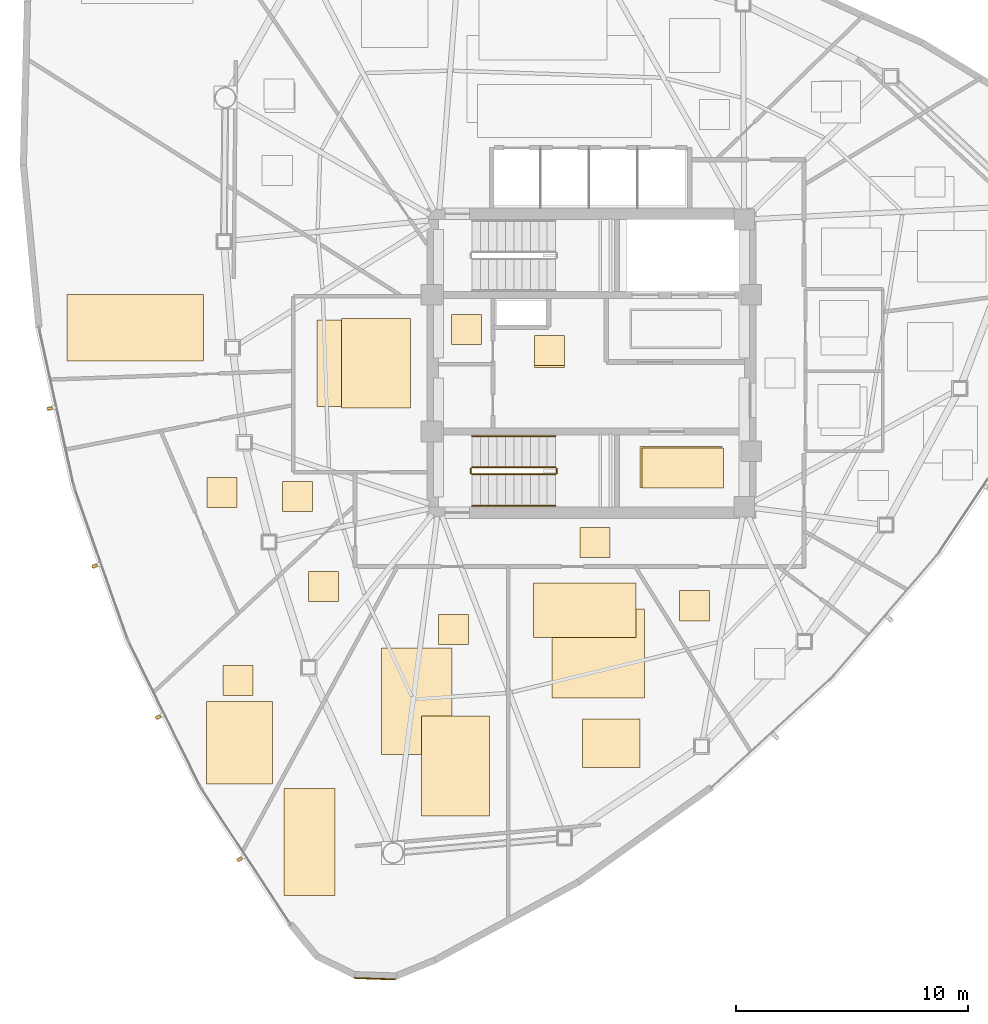
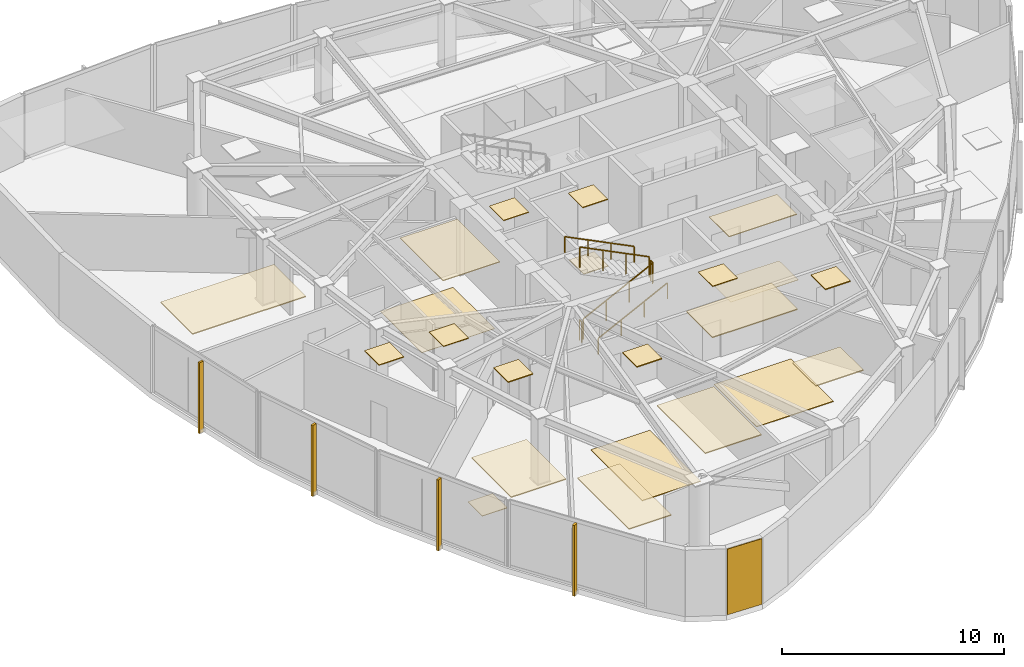
# One storey, part 12 of 14: 23 coverings, 6 railings, 4 shading devices.
"""IFC4 building model written with IfcOpenShell, lengths in metres."""

import ifcopenshell
import ifcopenshell.guid

model = None  # the IFC model being written
_history = None  # IfcOwnerHistory: only IFC2X3 demands one
_inside = {}  # id of a spatial element -> (the spatial element, [elements in it])
_under = {}  # id of a project, library or spatial element -> (it, [spatial elements below it])
_declared = {}  # id of a project -> (the project, [libraries it declares])
_typed = {}  # id of a type object -> (the type object, [elements of that type])
_made_of = {}  # id of a material, layer set ... -> (it, [elements and type objects made of it])


def new_model(schema):
    """Start an empty IFC model of exactly this schema.

    Asked for "IFC4X3", IfcOpenShell would pick the latest addendum, in which some entities
    have other attributes; the version numbers below select the first issue.
    IFC2X3 requires an IfcOwnerHistory on every rooted entity: one is made here for all.
    """
    global model, _history
    if schema == "IFC4X3":
        model = ifcopenshell.file(schema_version=(4, 3, 0, 0))
    else:
        model = ifcopenshell.file(schema=schema)
    _inside.clear()
    _under.clear()
    _declared.clear()
    _typed.clear()
    _made_of.clear()
    _history = None
    if model.schema == "IFC2X3":
        org = make("IfcOrganization", Name="unknown")
        user = make(
            "IfcPersonAndOrganization",
            ThePerson=make("IfcPerson", FamilyName="unknown"),
            TheOrganization=org,
        )
        app = make(
            "IfcApplication",
            ApplicationDeveloper=org,
            Version="unknown",
            ApplicationFullName="unknown",
            ApplicationIdentifier="unknown",
        )
        _history = make(
            "IfcOwnerHistory",
            OwningUser=user,
            OwningApplication=app,
            ChangeAction="ADDED",
            CreationDate=0,
        )
    return model


def make(cls, **values):
    """One entity of the class cls with the attributes given. An attribute that is None is left unset."""
    return model.create_entity(
        cls, **{name: value for name, value in values.items() if value is not None}
    )


def rooted(cls, **values):
    """An entity with a GlobalId (a new one), such as an element, a storey or a relation."""
    return make(cls, GlobalId=ifcopenshell.guid.new(), OwnerHistory=_history, **values)


def si_unit(unit_type, name, prefix=None):
    """IfcSIUnit, for example si_unit("LENGTHUNIT", "METRE", prefix="MILLI")."""
    return make("IfcSIUnit", UnitType=unit_type, Prefix=prefix, Name=name)


def assignment(units):
    """IfcUnitAssignment: the units of a project."""
    return None if units is None else make("IfcUnitAssignment", Units=units)


def point(xyz):
    """IfcCartesianPoint."""
    return None if xyz is None else make("IfcCartesianPoint", Coordinates=xyz)


def direction(xyz):
    """IfcDirection."""
    return None if xyz is None else make("IfcDirection", DirectionRatios=xyz)


def frame(location, z_axis=None, x_axis=None):
    """IfcAxis2Placement3D, a coordinate frame: its origin and axes. An axis left out is left unset."""
    return make(
        "IfcAxis2Placement3D",
        Location=point(location),
        Axis=direction(z_axis),
        RefDirection=direction(x_axis),
    )


def frame_2d(location, x_axis=None):
    """IfcAxis2Placement2D, a coordinate frame in the plane: its origin and x axis."""
    return make(
        "IfcAxis2Placement2D", Location=point(location), RefDirection=direction(x_axis)
    )


def origin():
    """The frame at (0, 0, 0) with its axes left unset."""
    return frame((0.0, 0.0, 0.0))


def origin_2d():
    """The frame at (0, 0) in the plane with its x axis left unset."""
    return frame_2d((0.0, 0.0))


def place(relative_to, where):
    """IfcLocalPlacement: puts the frame where relative to a parent placement (None: the world)."""
    return make(
        "IfcLocalPlacement", PlacementRelTo=relative_to, RelativePlacement=where
    )


def context(
    kind, dimensions, precision=None, world=None, true_north=None, identifier=None
):
    """IfcGeometricRepresentationContext, for example the 3D "Model" context."""
    return make(
        "IfcGeometricRepresentationContext",
        ContextIdentifier=identifier,
        ContextType=kind,
        CoordinateSpaceDimension=dimensions,
        Precision=precision,
        WorldCoordinateSystem=world,
        TrueNorth=true_north,
    )


def subcontext(parent, identifier, kind, view, scale=None):
    """IfcGeometricRepresentationSubContext, for example "Body" below "Model"."""
    return make(
        "IfcGeometricRepresentationSubContext",
        ContextIdentifier=identifier,
        ContextType=kind,
        ParentContext=parent,
        TargetScale=scale,
        TargetView=view,
    )


def project(units=None, contexts=None):
    """IfcProject with its units and contexts."""
    return rooted(
        "IfcProject",
        Name="project",
        RepresentationContexts=contexts,
        UnitsInContext=assignment(units),
    )


def spatial(cls, under=None, at=None, **own):
    """A site, building, storey or space (cls), placed at a placement, below another one or the project."""
    s = rooted(cls, ObjectPlacement=at, **own)
    if under is not None:
        _under.setdefault(under.id(), (under, []))[1].append(s)
    return s


def polyline(points):
    """IfcPolyline through the points."""
    return make("IfcPolyline", Points=[point(p) for p in points])


def profile(cls, at=None, kind="AREA", **sizes):
    """A parametric profile (cls). Its sizes go by their IFC names, for example OverallWidth=200.0."""
    return make(cls, ProfileType=kind, Position=at, **sizes)


def rectangle(**sizes):
    """IfcRectangleProfileDef."""
    return profile("IfcRectangleProfileDef", **sizes)


def outline(outer, holes=None, kind="AREA"):
    """IfcArbitraryClosedProfileDef: a profile drawn as a closed curve; with holes, ...WithVoids."""
    if holes is None:
        return make("IfcArbitraryClosedProfileDef", ProfileType=kind, OuterCurve=outer)
    return make(
        "IfcArbitraryProfileDefWithVoids",
        ProfileType=kind,
        OuterCurve=outer,
        InnerCurves=holes,
    )


def extrude(swept, where, along, depth):
    """IfcExtrudedAreaSolid: the profile swept, set in the frame where, extruded along a direction by depth."""
    return make(
        "IfcExtrudedAreaSolid",
        SweptArea=swept,
        Position=where,
        ExtrudedDirection=direction(along),
        Depth=depth,
    )


def shape(context_of_items, identifier, shape_type, items):
    """IfcShapeRepresentation: the items that make up one representation, for example the "Body"."""
    return make(
        "IfcShapeRepresentation",
        ContextOfItems=context_of_items,
        RepresentationIdentifier=identifier,
        RepresentationType=shape_type,
        Items=items,
    )


def source(mapping_origin, context_of_items, identifier, shape_type, items):
    """IfcRepresentationMap: a shape defined once, which mapped items show again and again."""
    return make(
        "IfcRepresentationMap",
        MappingOrigin=mapping_origin,
        MappedRepresentation=shape(context_of_items, identifier, shape_type, items),
    )


def transform(
    local_origin,
    x_axis=None,
    y_axis=None,
    z_axis=None,
    scale=None,
    scale2=None,
    scale3=None,
    uniform=True,
):
    """IfcCartesianTransformationOperator3D, or its non-uniform kind. x_axis, y_axis, z_axis: its Axis1, 2, 3."""
    if uniform:
        return make(
            "IfcCartesianTransformationOperator3D",
            Axis1=direction(x_axis),
            Axis2=direction(y_axis),
            LocalOrigin=point(local_origin),
            Scale=scale,
            Axis3=direction(z_axis),
        )
    return make(
        "IfcCartesianTransformationOperator3DnonUniform",
        Axis1=direction(x_axis),
        Axis2=direction(y_axis),
        LocalOrigin=point(local_origin),
        Scale=scale,
        Axis3=direction(z_axis),
        Scale2=scale2,
        Scale3=scale3,
    )


def mapped(mapping_source, mapping_target):
    """IfcMappedItem: shows the shape of a source again, moved by a transform."""
    return make(
        "IfcMappedItem", MappingSource=mapping_source, MappingTarget=mapping_target
    )


def material(Name=None, Category=None):
    """IfcMaterial."""
    return make("IfcMaterial", Name=Name, Category=Category)


def layer(
    of_material, thickness, ventilated=None, Name=None, Category=None, Priority=None
):
    """IfcMaterialLayer: one layer of a wall or slab, of a material (None: an air gap)."""
    return make(
        "IfcMaterialLayer",
        Material=of_material,
        LayerThickness=thickness,
        IsVentilated=ventilated,
        Name=Name,
        Category=Category,
        Priority=Priority,
    )


def layer_set(layers, Name=None):
    """IfcMaterialLayerSet."""
    return make("IfcMaterialLayerSet", MaterialLayers=layers, LayerSetName=Name)


def made_of(thing, what):
    """Note that an element or type object is made of a material, layer set ...; save() writes the relation."""
    if what is not None:
        _made_of.setdefault(what.id(), (what, []))[1].append(thing)
    return thing


def type_object(cls, material=None, **own):
    """A type object (cls), such as IfcWallType, which elements share."""
    return made_of(rooted(cls, **own), material)


def type_shapes(of_type, sources):
    """Give a type object the sources (RepresentationMaps) that its elements show as mapped items."""
    of_type.RepresentationMaps = sources


def element(
    cls,
    number,
    at=None,
    inside=None,
    cuts=None,
    type_object=None,
    material=None,
    context=None,
    identifier="Body",
    shape_type=None,
    held_by="IfcProductDefinitionShape",
    body=None,
    shapes=None,
    **own,
):
    """One element of the class cls, such as IfcWall. Its Tag is "e" and its number.

    at: its placement. inside: the storey or other place that contains it. cuts: it is an
    opening in that element (IfcRelVoidsElement). A single representation is given by context,
    identifier, shape_type and body (its items); several are given by shapes. held_by: the class
    of the entity that holds the representations. save() writes the other relations.
    """
    e = rooted(cls, Tag="e%d" % number, ObjectPlacement=at, **own)
    if body is not None:
        shapes = [shape(context, identifier, shape_type, body)]
    if shapes is not None:
        e.Representation = make(held_by, Representations=shapes)
    if inside is not None:
        _inside.setdefault(inside.id(), (inside, []))[1].append(e)
    if cuts is not None:
        rooted(
            "IfcRelVoidsElement", RelatingBuildingElement=cuts, RelatedOpeningElement=e
        )
    if type_object is not None:
        _typed.setdefault(type_object.id(), (type_object, []))[1].append(e)
    return made_of(e, material)


def aggregate(whole, parts):
    """IfcRelAggregates: a whole, such as a stair, and the parts it consists of."""
    return rooted("IfcRelAggregates", RelatingObject=whole, RelatedObjects=parts)


def save(model, path):
    """Write the relations noted so far, then the file.

    IfcRelAggregates (storeys below a building ...), IfcRelContainedInSpatialStructure (elements
    in a storey), IfcRelDefinesByType, IfcRelAssociatesMaterial and IfcRelDeclares: one each for
    every whole, place, type object, material and project.
    """
    for whole, parts in _under.values():
        aggregate(whole, parts)
    for where, things in _inside.values():
        rooted(
            "IfcRelContainedInSpatialStructure",
            RelatedElements=things,
            RelatingStructure=where,
        )
    for kind, things in _typed.values():
        rooted("IfcRelDefinesByType", RelatedObjects=things, RelatingType=kind)
    for what, things in _made_of.values():
        rooted("IfcRelAssociatesMaterial", RelatedObjects=things, RelatingMaterial=what)
    for by, libraries in _declared.values():
        rooted("IfcRelDeclares", RelatingContext=by, RelatedDefinitions=libraries)
    model.write(path)


model = new_model("IFC4")

# Units and contexts
model_context = context("Model", 3, precision=1e-05, world=origin(), true_north=direction((0.0, 1.0)))
body_context = subcontext(model_context, "Body", "Model", "MODEL_VIEW")
ifc_project = project(units=[si_unit("LENGTHUNIT", "METRE"), si_unit("AREAUNIT", "SQUARE_METRE"), si_unit("VOLUMEUNIT", "CUBIC_METRE"), si_unit("PLANEANGLEUNIT", "RADIAN"), si_unit("MASSUNIT", "GRAM", prefix="KILO")], contexts=[model_context])

# Site, building, storey
site_placement = place(None, origin())
site = spatial("IfcSite", under=ifc_project, at=site_placement, CompositionType="ELEMENT")
building_placement = place(site_placement, origin())
building = spatial("IfcBuilding", under=site, at=building_placement, Name="Tavelor Broadcast Tower", CompositionType="ELEMENT")
storey_placement = place(building_placement, frame((0.0, 0.0, 234.0)))
storey = spatial("IfcBuildingStorey", under=building, at=storey_placement, Name="L55", CompositionType="ELEMENT", Elevation=234.0)

# Coverings
ifc_material_1 = material(Name="Copper-Bronze Anodized Aluminium", Category="aluminium")
ifc_layer_1 = layer(ifc_material_1, 0.044921875)
ifc_layer_set_1 = layer_set([ifc_layer_1], Name="Copper-Bronze Anodized Aluminium")
covering_type_1 = type_object("IfcCoveringType", Name="Anodised Bronze Linear Slatted Concourse Ceiling 45 mm", PredefinedType="CEILING", material=ifc_layer_set_1)
covering_1_placement = place(storey_placement, frame((0.0, 0.0, 3.60498046875)))
element("IfcCovering", 1, at=covering_1_placement, inside=storey, type_object=covering_type_1, Name="L55 Suspended Acoustic Ceiling 2170", PredefinedType="CEILING", context=body_context, shape_type="SweptSolid", body=[
    extrude(outline(polyline([(47.5400390625, 44.89794921875), (48.840087890625, 44.89794921875), (48.840087890625, 46.197998046875), (47.5400390625, 46.197998046875), (47.5400390625, 44.89794921875)])), origin(), (0.0, 0.0, 1.0), 0.044921875),
])
ifc_layer_2 = layer(ifc_material_1, 0.050048828125)
ifc_layer_set_2 = layer_set([ifc_layer_2], Name="Copper-Bronze Anodized Aluminium")
covering_type_2 = type_object("IfcCoveringType", Name="Champagne-Bronze Corner Pier Metal Cladding 50 mm", PredefinedType="CLADDING", material=ifc_layer_set_2)
covering_2_placement = place(storey_placement, frame((40.660888671875, 18.42626953125, 0.02001953125), z_axis=(0.0, 0.0, 1.0), x_axis=(0.999420902032, -0.034027350502, 0.0)))
element("IfcCovering", 2, at=covering_2_placement, inside=storey, type_object=covering_type_2, Name="L55 Champagne-Bronze Corner Cladding 13", PredefinedType="CLADDING", context=body_context, shape_type="SweptSolid", body=[
    extrude(rectangle(XDim=1.7568359375, YDim=0.050048828125, at=origin_2d()), origin(), (0.0, 0.0, 1.0), 3.610107421875),
])

# Railings
ifc_material_2 = material(Name="Steel S355", Category="steel")
railing_type_1 = type_object("IfcRailingType", Name="Continuous Brushed Stainless Handrail 900 mm", PredefinedType="HANDRAIL", material=ifc_material_2)
railing_1_placement = place(storey_placement, frame((44.85009765625, 38.85009765625, 0.179443359375)))
element("IfcRailing", 3, at=railing_1_placement, inside=storey, type_object=railing_type_1, Name="L55 ST2 stair handrail 1", PredefinedType="HANDRAIL", context=body_context, shape_type="SweptSolid", body=[
    extrude(rectangle(XDim=0.048095703125, YDim=0.048095703125, at=origin_2d()), frame((0.0, 0.0, 0.8759765625), z_axis=(0.894851606799, 0.0, 0.446363755036), x_axis=(0.0, 1.0, 0.0)), (0.0, 0.0, 1.0), 4.02294921875),
    extrude(rectangle(XDim=0.0419921875, YDim=0.0419921875, at=origin_2d()), origin(), (0.0, 0.0, 1.0), 0.851806640625),
    extrude(rectangle(XDim=0.0419921875, YDim=0.0419921875, at=origin_2d()), frame((1.199951171875, 0.0, 0.5986328125)), (0.0, 0.0, 1.0), 0.851806640625),
    extrude(rectangle(XDim=0.0419921875, YDim=0.0419921875, at=origin_2d()), frame((2.39990234375, 0.0, 1.197021484375)), (0.0, 0.0, 1.0), 0.851806640625),
    extrude(rectangle(XDim=0.0419921875, YDim=0.0419921875, at=origin_2d()), frame((3.599853515625, 0.0, 1.795654296875)), (0.0, 0.0, 1.0), 0.851806640625),
])
railing_2_placement = place(storey_placement, frame((48.449951171875, 41.85009765625, 2.154541015625)))
element("IfcRailing", 4, at=railing_2_placement, inside=storey, type_object=railing_type_1, Name="L55 ST2 stair handrail 2", PredefinedType="HANDRAIL", context=body_context, shape_type="SweptSolid", body=[
    extrude(rectangle(XDim=0.048095703125, YDim=0.048095703125, at=origin_2d()), frame((0.0, 0.0, 0.8759765625), z_axis=(-0.894875846893, 0.0, 0.446315156192), x_axis=(0.0, -1.0, 0.0)), (0.0, 0.0, 1.0), 4.022705078125),
    extrude(rectangle(XDim=0.0419921875, YDim=0.0419921875, at=origin_2d()), origin(), (0.0, 0.0, 1.0), 0.851806640625),
    extrude(rectangle(XDim=0.0419921875, YDim=0.0419921875, at=origin_2d()), frame((-1.199951171875, 0.0, 0.598388671875)), (0.0, 0.0, 1.0), 0.851806640625),
    extrude(rectangle(XDim=0.0419921875, YDim=0.0419921875, at=origin_2d()), frame((-2.39990234375, 0.0, 1.197021484375)), (0.0, 0.0, 1.0), 0.851806640625),
    extrude(rectangle(XDim=0.0419921875, YDim=0.0419921875, at=origin_2d()), frame((-3.599853515625, 0.0, 1.79541015625)), (0.0, 0.0, 1.0), 0.851806640625),
])

# Coverings
ifc_material_3 = material(Name="Architectural Anodized Aluminium", Category="aluminium")
ifc_layer_3 = layer(ifc_material_3, 0.034912109375)
ifc_layer_set_3 = layer_set([ifc_layer_3], Name="Architectural Anodized Aluminium")
covering_type_3 = type_object("IfcCoveringType", Name="Demountable Metal Tile Corridor Ceiling 35 mm", PredefinedType="CEILING", material=ifc_layer_set_3)
covering_3_placement = place(storey_placement, frame((0.0, 0.0, 3.614990234375)))
element("IfcCovering", 5, at=covering_3_placement, inside=storey, type_object=covering_type_3, Name="L55 Suspended Acoustic Ceiling 2173", PredefinedType="CEILING", context=body_context, shape_type="SweptSolid", body=[
    extrude(outline(polyline([(49.510498046875, 36.610107421875), (50.810302734375, 36.610107421875), (50.810302734375, 37.909912109375), (49.510498046875, 37.909912109375), (49.510498046875, 36.610107421875)])), origin(), (0.0, 0.0, 1.0), 0.034912109375),
])
ifc_material_4 = material(Name="Acoustic Nylon Carpet Tile")
ifc_layer_4 = layer(ifc_material_4, 0.02001953125)
ifc_layer_set_4 = layer_set([ifc_layer_4], Name="Acoustic Nylon Carpet Tile")
covering_type_4 = type_object("IfcCoveringType", Name="Heavy-Duty Acoustic Broadcast Carpet Tile 20 mm", PredefinedType="FLOORING", material=ifc_layer_set_4)
covering_4_placement = place(storey_placement, origin())
element("IfcCovering", 6, at=covering_4_placement, inside=storey, type_object=covering_type_4, Name="L55 Broadcast Floor Finish 0803", PredefinedType="FLOORING", context=body_context, shape_type="SweptSolid", body=[
    extrude(outline(polyline([(52.176025390625, 39.611328125), (55.694091796875, 39.611328125), (55.694091796875, 41.341552734375), (52.176025390625, 41.341552734375), (52.176025390625, 39.611328125)])), origin(), (0.0, 0.0, 1.0), 0.02001953125),
])
covering_5_placement = place(storey_placement, origin())
element("IfcCovering", 7, at=covering_5_placement, inside=storey, type_object=covering_type_4, Name="L55 Broadcast Floor Finish 0806", PredefinedType="FLOORING", context=body_context, shape_type="SweptSolid", body=[
    extrude(outline(polyline([(38.15771484375, 43.12890625), (41.942138671875, 43.12890625), (41.942138671875, 46.87060546875), (38.15771484375, 46.87060546875), (38.15771484375, 43.12890625)])), origin(), (0.0, 0.0, 1.0), 0.02001953125),
])
ifc_material_5 = material(Name="Honed Natural Limestone Tile", Category="masonry")
ifc_layer_5 = layer(ifc_material_5, 0.030029296875)
ifc_layer_set_5 = layer_set([ifc_layer_5], Name="Honed Natural Limestone Tile")
covering_type_5 = type_object("IfcCoveringType", Name="Honed Jerusalem Limestone Concourse Flooring 30 mm", PredefinedType="FLOORING", material=ifc_layer_set_5)
covering_6_placement = place(storey_placement, origin())
element("IfcCovering", 8, at=covering_6_placement, inside=storey, type_object=covering_type_5, Name="L55 Broadcast Floor Finish 0804", PredefinedType="FLOORING", context=body_context, shape_type="SweptSolid", body=[
    extrude(outline(polyline([(47.5400390625, 44.818115234375), (48.840087890625, 44.818115234375), (48.840087890625, 46.117919921875), (47.5400390625, 46.117919921875), (47.5400390625, 44.818115234375)])), origin(), (0.0, 0.0, 1.0), 0.030029296875),
])
ifc_material_6 = material(Name="Acoustic Hardwood Studio Flooring", Category="wood")
ifc_layer_6 = layer(ifc_material_6, 0.034912109375)
ifc_layer_set_6 = layer_set([ifc_layer_6], Name="Acoustic Hardwood Studio Flooring")
covering_type_6 = type_object("IfcCoveringType", Name="Isolated Studio Acoustic Elastomeric Floor Finish 35 mm", PredefinedType="FLOORING", material=ifc_layer_set_6)
covering_7_placement = place(storey_placement, origin())
element("IfcCovering", 9, at=covering_7_placement, inside=storey, type_object=covering_type_6, Name="L55 Broadcast Floor Finish 0810", PredefinedType="FLOORING", context=body_context, shape_type="SweptSolid", body=[
    extrude(outline(polyline([(48.294189453125, 30.550537109375), (52.29296875, 30.550537109375), (52.29296875, 34.385986328125), (48.294189453125, 34.385986328125), (48.294189453125, 30.550537109375)])), origin(), (0.0, 0.0, 1.0), 0.034912109375),
])
covering_8_placement = place(storey_placement, origin())
element("IfcCovering", 10, at=covering_8_placement, inside=storey, type_object=covering_type_6, Name="L55 Broadcast Floor Finish 0811", PredefinedType="FLOORING", context=body_context, shape_type="SweptSolid", body=[
    extrude(outline(polyline([(40.93408203125, 28.10791015625), (43.988037109375, 28.10791015625), (43.988037109375, 32.713134765625), (40.93408203125, 32.713134765625), (40.93408203125, 28.10791015625)])), origin(), (0.0, 0.0, 1.0), 0.034912109375),
])
covering_9_placement = place(storey_placement, origin())
element("IfcCovering", 11, at=covering_9_placement, inside=storey, type_object=covering_type_6, Name="L55 Broadcast Floor Finish 0812", PredefinedType="FLOORING", context=body_context, shape_type="SweptSolid", body=[
    extrude(outline(polyline([(34.09033203125, 30.656982421875), (35.390380859375, 30.656982421875), (35.390380859375, 31.956787109375), (34.09033203125, 31.956787109375), (34.09033203125, 30.656982421875)])), origin(), (0.0, 0.0, 1.0), 0.034912109375),
])
ifc_material_7 = material(Name="Acoustic Perforated Timber Baffle", Category="wood")
ifc_layer_7 = layer(ifc_material_7, 0.054931640625)
ifc_layer_set_7 = layer_set([ifc_layer_7], Name="Acoustic Perforated Timber Baffle")
covering_type_7 = type_object("IfcCoveringType", Name="Micro-Perforated Acoustic Baffle Studio Ceiling 55 mm", PredefinedType="CEILING", material=ifc_layer_set_7)
covering_10_placement = place(storey_placement, frame((0.0, 0.0, 3.594970703125)))
element("IfcCovering", 12, at=covering_10_placement, inside=storey, type_object=covering_type_7, Name="L55 Suspended Acoustic Ceiling 2177", PredefinedType="CEILING", context=body_context, shape_type="SweptSolid", body=[
    extrude(outline(polyline([(53.7958984375, 33.87744140625), (55.095947265625, 33.87744140625), (55.095947265625, 35.177490234375), (53.7958984375, 35.177490234375), (53.7958984375, 33.87744140625)])), origin(), (0.0, 0.0, 1.0), 0.054931640625),
])
covering_11_placement = place(storey_placement, frame((0.0, 0.0, 3.594970703125)))
element("IfcCovering", 13, at=covering_11_placement, inside=storey, type_object=covering_type_7, Name="L55 Suspended Acoustic Ceiling 2178", PredefinedType="CEILING", context=body_context, shape_type="SweptSolid", body=[
    extrude(outline(polyline([(49.621337890625, 27.534423828125), (52.103271484375, 27.534423828125), (52.103271484375, 29.63330078125), (49.621337890625, 29.63330078125), (49.621337890625, 27.534423828125)])), origin(), (0.0, 0.0, 1.0), 0.054931640625),
])
covering_12_placement = place(storey_placement, frame((0.0, 0.0, 3.594970703125)))
element("IfcCovering", 14, at=covering_12_placement, inside=storey, type_object=covering_type_7, Name="L55 Suspended Acoustic Ceiling 2179", PredefinedType="CEILING", context=body_context, shape_type="SweptSolid", body=[
    extrude(outline(polyline([(47.50390625, 33.15478515625), (51.9296875, 33.15478515625), (51.9296875, 35.51416015625), (47.50390625, 35.51416015625), (47.50390625, 33.15478515625)])), origin(), (0.0, 0.0, 1.0), 0.054931640625),
])
covering_13_placement = place(storey_placement, frame((0.0, 0.0, 3.594970703125)))
element("IfcCovering", 15, at=covering_13_placement, inside=storey, type_object=covering_type_7, Name="L55 Suspended Acoustic Ceiling 2180", PredefinedType="CEILING", context=body_context, shape_type="SweptSolid", body=[
    extrude(outline(polyline([(36.724365234375, 22.013671875), (38.9296875, 22.013671875), (38.9296875, 26.647705078125), (36.724365234375, 26.647705078125), (36.724365234375, 22.013671875)])), origin(), (0.0, 0.0, 1.0), 0.054931640625),
])
covering_14_placement = place(storey_placement, frame((0.0, 0.0, 3.594970703125)))
element("IfcCovering", 16, at=covering_14_placement, inside=storey, type_object=covering_type_7, Name="L55 Suspended Acoustic Ceiling 2181", PredefinedType="CEILING", context=body_context, shape_type="SweptSolid", body=[
    extrude(outline(polyline([(43.405517578125, 32.857421875), (44.70556640625, 32.857421875), (44.70556640625, 34.157470703125), (43.405517578125, 34.157470703125), (43.405517578125, 32.857421875)])), origin(), (0.0, 0.0, 1.0), 0.054931640625),
])
covering_15_placement = place(storey_placement, frame((0.0, 0.0, 3.594970703125)))
element("IfcCovering", 17, at=covering_15_placement, inside=storey, type_object=covering_type_7, Name="L55 Suspended Acoustic Ceiling 2182", PredefinedType="CEILING", context=body_context, shape_type="SweptSolid", body=[
    extrude(outline(polyline([(42.672607421875, 25.443603515625), (45.606201171875, 25.443603515625), (45.606201171875, 29.771484375), (42.672607421875, 29.771484375), (42.672607421875, 25.443603515625)])), origin(), (0.0, 0.0, 1.0), 0.054931640625),
])
covering_16_placement = place(storey_placement, frame((0.0, 0.0, 3.594970703125)))
element("IfcCovering", 18, at=covering_16_placement, inside=storey, type_object=covering_type_7, Name="L55 Suspended Acoustic Ceiling 2183", PredefinedType="CEILING", context=body_context, shape_type="SweptSolid", body=[
    extrude(outline(polyline([(37.779541015625, 34.71630859375), (39.07958984375, 34.71630859375), (39.07958984375, 36.016357421875), (37.779541015625, 36.016357421875), (37.779541015625, 34.71630859375)])), origin(), (0.0, 0.0, 1.0), 0.054931640625),
])
covering_17_placement = place(storey_placement, frame((0.0, 0.0, 3.594970703125)))
element("IfcCovering", 19, at=covering_17_placement, inside=storey, type_object=covering_type_7, Name="L55 Suspended Acoustic Ceiling 2184", PredefinedType="CEILING", context=body_context, shape_type="SweptSolid", body=[
    extrude(outline(polyline([(33.38671875, 26.8251953125), (36.2412109375, 26.8251953125), (36.2412109375, 30.402587890625), (33.38671875, 30.402587890625), (33.38671875, 26.8251953125)])), origin(), (0.0, 0.0, 1.0), 0.054931640625),
])
covering_18_placement = place(storey_placement, frame((0.0, 0.0, 3.594970703125)))
element("IfcCovering", 20, at=covering_18_placement, inside=storey, type_object=covering_type_7, Name="L55 Suspended Acoustic Ceiling 2185", PredefinedType="CEILING", context=body_context, shape_type="SweptSolid", body=[
    extrude(outline(polyline([(27.370849609375, 45.09326171875), (33.26220703125, 45.09326171875), (33.26220703125, 47.972900390625), (27.370849609375, 47.972900390625), (27.370849609375, 45.09326171875)])), origin(), (0.0, 0.0, 1.0), 0.054931640625),
])

# Railings
railing_type_2 = type_object("IfcRailingType", Name="Stairwell Steel Safety Guardrail 1150 mm", PredefinedType="GUARDRAIL", material=ifc_material_2)
railing_3_placement = place(storey_placement, frame((44.85009765625, 40.199951171875, 0.179443359375)))
element("IfcRailing", 21, at=railing_3_placement, inside=storey, type_object=railing_type_2, Name="L55 ST2 stair guard 1", PredefinedType="GUARDRAIL", context=body_context, shape_type="SweptSolid", body=[
    extrude(rectangle(XDim=0.048095703125, YDim=0.048095703125, at=origin_2d()), frame((0.0, 0.0, 1.1259765625), z_axis=(0.894851606799, 0.0, 0.446363755036), x_axis=(0.0, 1.0, 0.0)), (0.0, 0.0, 1.0), 4.02294921875),
    extrude(rectangle(XDim=0.0419921875, YDim=0.0419921875, at=origin_2d()), origin(), (0.0, 0.0, 1.0), 1.101806640625),
    extrude(rectangle(XDim=0.0419921875, YDim=0.0419921875, at=origin_2d()), frame((1.199951171875, 0.0, 0.5986328125)), (0.0, 0.0, 1.0), 1.101806640625),
    extrude(rectangle(XDim=0.0419921875, YDim=0.0419921875, at=origin_2d()), frame((2.39990234375, 0.0, 1.197021484375)), (0.0, 0.0, 1.0), 1.101806640625),
    extrude(rectangle(XDim=0.0419921875, YDim=0.0419921875, at=origin_2d()), frame((3.599853515625, 0.0, 1.795654296875)), (0.0, 0.0, 1.0), 1.101806640625),
])
railing_4_placement = place(storey_placement, frame((48.5, 40.25, 1.97509765625)))
element("IfcRailing", 22, at=railing_4_placement, inside=storey, type_object=railing_type_2, Name="L55 ST2 stair guard 2", PredefinedType="GUARDRAIL", context=body_context, shape_type="SweptSolid", body=[
    extrude(rectangle(XDim=0.048095703125, YDim=0.048095703125, at=origin_2d()), frame((0.0, 0.0, 1.1259765625), z_axis=(0.0, 1.0, 0.0), x_axis=(-1.0, 0.0, 0.0)), (0.0, 0.0, 1.0), 0.199951171875),
    extrude(rectangle(XDim=0.0419921875, YDim=0.0419921875, at=origin_2d()), origin(), (0.0, 0.0, 1.0), 1.101806640625),
    extrude(rectangle(XDim=0.0419921875, YDim=0.0419921875, at=origin_2d()), frame((0.0, 0.199951171875, 0.0)), (0.0, 0.0, 1.0), 1.101806640625),
])
railing_5_placement = place(storey_placement, frame((48.449951171875, 40.5, 2.154541015625)))
element("IfcRailing", 23, at=railing_5_placement, inside=storey, type_object=railing_type_2, Name="L55 ST2 stair guard 3", PredefinedType="GUARDRAIL", context=body_context, shape_type="SweptSolid", body=[
    extrude(rectangle(XDim=0.048095703125, YDim=0.048095703125, at=origin_2d()), frame((0.0, 0.0, 1.1259765625), z_axis=(-0.894875846893, 0.0, 0.446315156192), x_axis=(0.0, -1.0, 0.0)), (0.0, 0.0, 1.0), 4.022705078125),
    extrude(rectangle(XDim=0.0419921875, YDim=0.0419921875, at=origin_2d()), origin(), (0.0, 0.0, 1.0), 1.101806640625),
    extrude(rectangle(XDim=0.0419921875, YDim=0.0419921875, at=origin_2d()), frame((-1.199951171875, 0.0, 0.598388671875)), (0.0, 0.0, 1.0), 1.101806640625),
    extrude(rectangle(XDim=0.0419921875, YDim=0.0419921875, at=origin_2d()), frame((-2.39990234375, 0.0, 1.197021484375)), (0.0, 0.0, 1.0), 1.101806640625),
    extrude(rectangle(XDim=0.0419921875, YDim=0.0419921875, at=origin_2d()), frame((-3.599853515625, 0.0, 1.79541015625)), (0.0, 0.0, 1.0), 1.101806640625),
])
railing_6_placement = place(storey_placement, frame((44.800048828125, 40.25, 0.0)))
element("IfcRailing", 24, at=railing_6_placement, inside=storey, type_object=railing_type_2, Name="L55 ST2 stair guard 4", PredefinedType="GUARDRAIL", context=body_context, shape_type="SweptSolid", body=[
    extrude(rectangle(XDim=0.048095703125, YDim=0.048095703125, at=origin_2d()), frame((0.0, 0.0, 1.1259765625), z_axis=(0.0, 1.0, 0.0), x_axis=(-1.0, 0.0, 0.0)), (0.0, 0.0, 1.0), 0.199951171875),
    extrude(rectangle(XDim=0.0419921875, YDim=0.0419921875, at=origin_2d()), origin(), (0.0, 0.0, 1.0), 1.101806640625),
    extrude(rectangle(XDim=0.0419921875, YDim=0.0419921875, at=origin_2d()), frame((0.0, 0.199951171875, 0.0)), (0.0, 0.0, 1.0), 1.101806640625),
])

# Coverings
ifc_material_8 = material(Name="Acoustic Mineral Fibre Tile")
ifc_layer_8 = layer(ifc_material_8, 0.0400390625)
ifc_layer_set_8 = layer_set([ifc_layer_8], Name="Acoustic Mineral Fibre Tile")
covering_type_8 = type_object("IfcCoveringType", Name="Suspended Acoustic Mineral-Fibre Office Ceiling 40 mm", PredefinedType="CEILING", material=ifc_layer_set_8)
covering_19_placement = place(storey_placement, frame((0.0, 0.0, 3.610107421875)))
element("IfcCovering", 25, at=covering_19_placement, inside=storey, type_object=covering_type_8, Name="L55 Suspended Acoustic Ceiling 2169", PredefinedType="CEILING", context=body_context, shape_type="SweptSolid", body=[
    extrude(outline(polyline([(52.098388671875, 39.62255859375), (55.628662109375, 39.62255859375), (55.628662109375, 41.410400390625), (52.098388671875, 41.410400390625), (52.098388671875, 39.62255859375)])), origin(), (0.0, 0.0, 1.0), 0.039794921875),
])
covering_20_placement = place(storey_placement, frame((0.0, 0.0, 3.610107421875)))
element("IfcCovering", 26, at=covering_20_placement, inside=storey, type_object=covering_type_8, Name="L55 Suspended Acoustic Ceiling 2171", PredefinedType="CEILING", context=body_context, shape_type="SweptSolid", body=[
    extrude(outline(polyline([(43.951416015625, 45.794921875), (45.25146484375, 45.794921875), (45.25146484375, 47.094970703125), (43.951416015625, 47.094970703125), (43.951416015625, 45.794921875)])), origin(), (0.0, 0.0, 1.0), 0.039794921875),
])
covering_21_placement = place(storey_placement, frame((0.0, 0.0, 3.610107421875)))
element("IfcCovering", 27, at=covering_21_placement, inside=storey, type_object=covering_type_8, Name="L55 Suspended Acoustic Ceiling 2174", PredefinedType="CEILING", context=body_context, shape_type="SweptSolid", body=[
    extrude(outline(polyline([(39.2216796875, 43.0712890625), (42.182373046875, 43.0712890625), (42.182373046875, 46.927978515625), (39.2216796875, 46.927978515625), (39.2216796875, 43.0712890625)])), origin(), (0.0, 0.0, 1.0), 0.039794921875),
])
covering_22_placement = place(storey_placement, frame((0.0, 0.0, 3.610107421875)))
element("IfcCovering", 28, at=covering_22_placement, inside=storey, type_object=covering_type_8, Name="L55 Suspended Acoustic Ceiling 2201", PredefinedType="CEILING", context=body_context, shape_type="SweptSolid", body=[
    extrude(outline(polyline([(36.66455078125, 38.58984375), (37.964599609375, 38.58984375), (37.964599609375, 39.889892578125), (36.66455078125, 39.889892578125), (36.66455078125, 38.58984375)])), origin(), (0.0, 0.0, 1.0), 0.039794921875),
])
covering_23_placement = place(storey_placement, frame((0.0, 0.0, 3.610107421875)))
element("IfcCovering", 29, at=covering_23_placement, inside=storey, type_object=covering_type_8, Name="L55 Suspended Acoustic Ceiling 2202", PredefinedType="CEILING", context=body_context, shape_type="SweptSolid", body=[
    extrude(outline(polyline([(33.412109375, 38.77099609375), (34.7119140625, 38.77099609375), (34.7119140625, 40.071044921875), (33.412109375, 40.071044921875), (33.412109375, 38.77099609375)])), origin(), (0.0, 0.0, 1.0), 0.039794921875),
])

# Shading devices
ifc_material_9 = material(Name="Kiln-Fired Glazed Terracotta", Category="masonry")
shading_device_type = type_object("IfcShadingDeviceType", Name="Extruded Terracotta Baguette Sun-Screen 110x240", PredefinedType="JALOUSIE", material=ifc_material_9)
shared_shape = source(origin(), body_context, "Body", "SweptSolid", [
    extrude(rectangle(XDim=0.110107421875, YDim=0.239990234375, at=origin_2d()), origin(), (0.0, 0.0, 1.0), 3.889892578125),
])
type_shapes(shading_device_type, [shared_shape])
for number, where, z_axis, x_axis, name in (
    (30, (26.61376953125, 43.04150390625, -0.259765625), (0.0, 0.0, 1.0), (0.215076237017, -0.976597262064, 0.0), "L55 Terracotta Baguette Fin 565"),
    (31, (28.5517578125, 36.23779296875, -0.259765625), (0.0, 0.0, 1.0), (0.331831864835, -0.943338546589, 0.0), "L55 Terracotta Baguette Fin 566"),
    (32, (31.299072265625, 29.718505859375, -0.259765625), (0.0, 0.0, 1.0), (0.443540529265, -0.896254315973, 0.0), "L55 Terracotta Baguette Fin 567"),
    (33, (34.81494140625, 23.579833984375, -0.259765625), (0.0, 0.0, 1.0), (0.548731032748, -0.835998955561, 0.0), "L55 Terracotta Baguette Fin 568"),
):
    element("IfcShadingDevice", number, at=place(storey_placement, frame(where, z_axis=z_axis, x_axis=x_axis)), inside=storey, type_object=shading_device_type, Name=name, PredefinedType="JALOUSIE", context=body_context, shape_type="MappedRepresentation", body=[
        mapped(shared_shape, transform((0.0, 0.0, 0.0), scale=1.0)),
    ])

save(model, "model.ifc")
